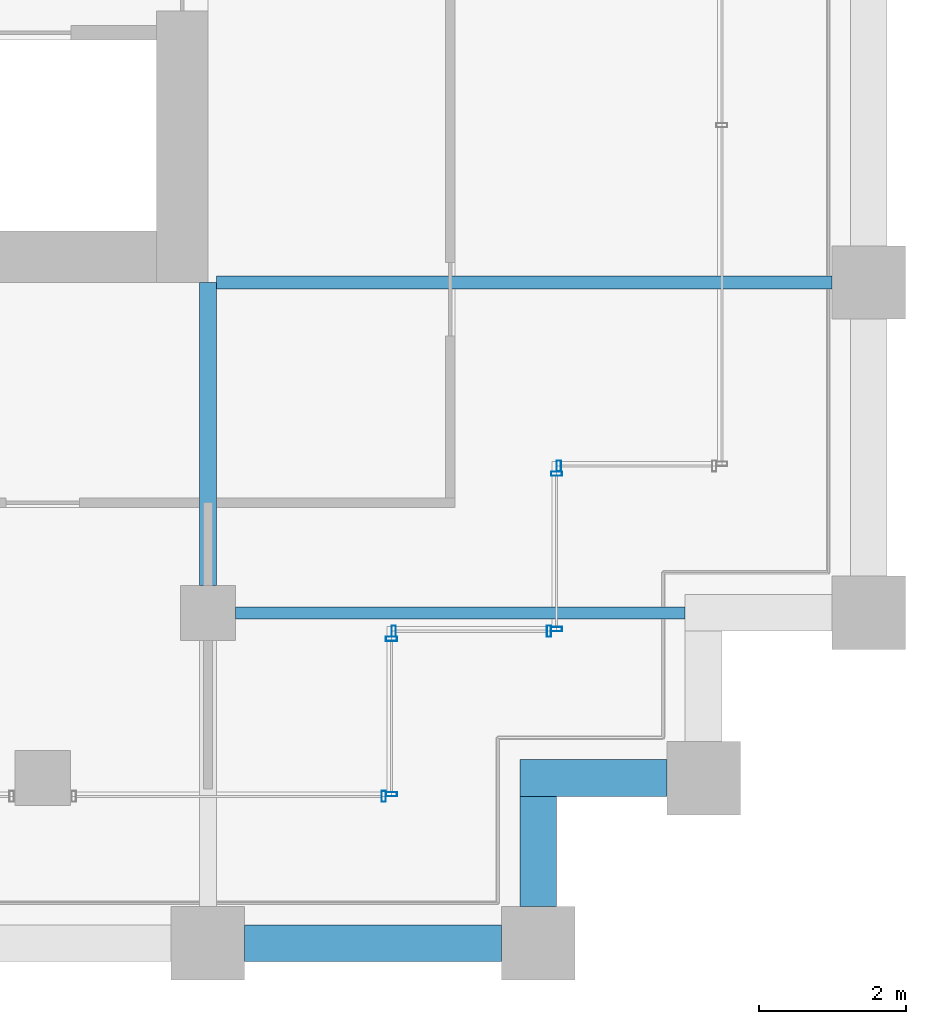
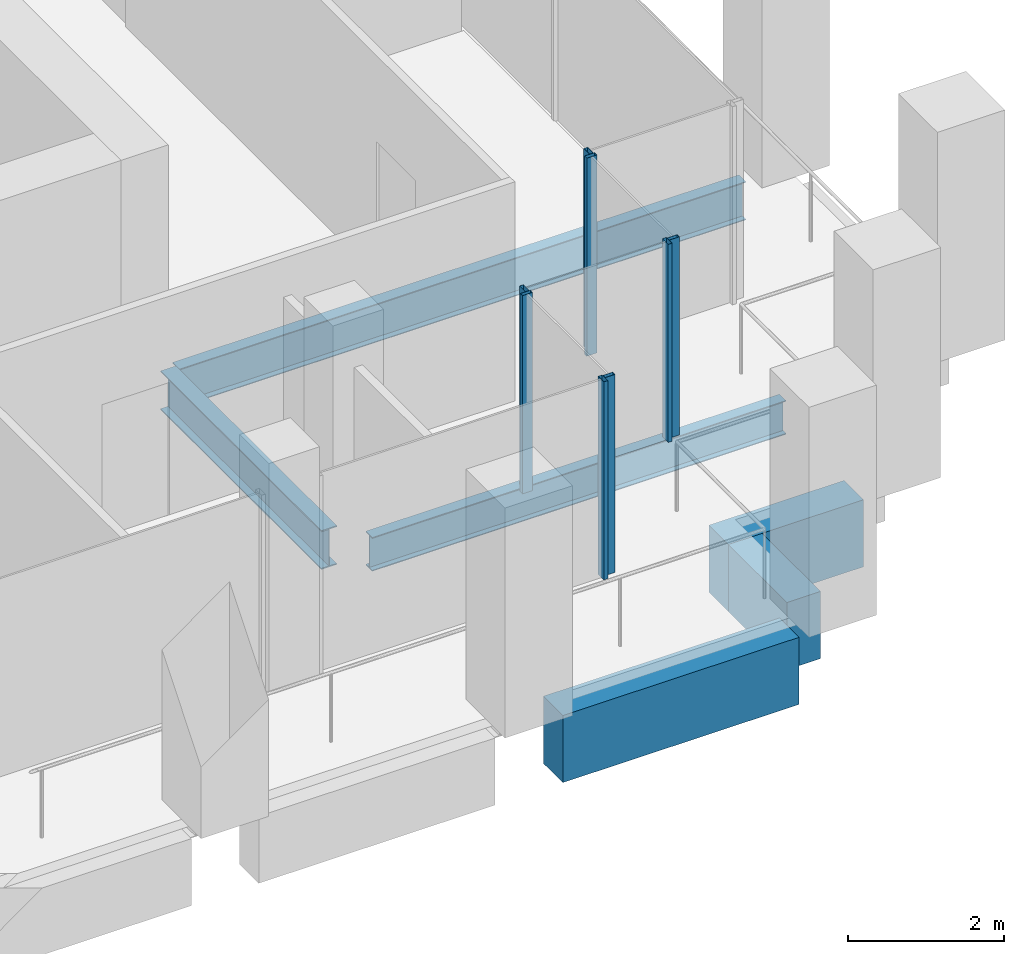
# One storey, part 32 of 46: 8 members, 6 beams, 5 elements without a shape of their own.
"""IFC4 building model written with IfcOpenShell, lengths in metres."""

from ifc_helpers import new_model, si_unit, direction, frame, origin, origin_2d, place, context, subcontext, project, spatial, rectangle, hollow_rectangle, i_section, extrude, material, material_profile, profile_set, type_object, element, aggregate, save


model = new_model("IFC4")

# Units and contexts
model_context = context("Model", 3, precision=1e-05, world=origin(), true_north=direction((0.0, 1.0)))
body_context = subcontext(model_context, "Body", "Model", "MODEL_VIEW")
ifc_project = project(units=[si_unit("LENGTHUNIT", "METRE"), si_unit("AREAUNIT", "SQUARE_METRE"), si_unit("VOLUMEUNIT", "CUBIC_METRE"), si_unit("PLANEANGLEUNIT", "RADIAN"), si_unit("MASSUNIT", "GRAM", prefix="KILO")], contexts=[model_context])

# Site, building, storey
site_placement = place(None, origin())
site = spatial("IfcSite", under=ifc_project, at=site_placement, CompositionType="ELEMENT")
building_placement = place(site_placement, origin())
building = spatial("IfcBuilding", under=site, at=building_placement, Name="Altepetl Exchange Towers", CompositionType="ELEMENT")
storey_placement = place(building_placement, frame((0.0, 0.0, 120.800048828125)))
storey = spatial("IfcBuildingStorey", under=building, at=storey_placement, Name="L29", CompositionType="ELEMENT", Elevation=120.800048828125)

# Beams
ifc_material_1 = material(Name="Steel S355", Category="steel")
ifc_material_profile_1 = material_profile(ifc_material_1, i_section(OverallWidth=0.166015625, OverallDepth=0.529052734375, WebThickness=0.009765625, FlangeThickness=0.013671875, at=origin_2d()), Name="W21X50")
ifc_profile_set_1 = profile_set([ifc_material_profile_1], Name="Steel S355")
beam_type_1 = type_object("IfcBeamType", Name="Floor beam W21X50", PredefinedType="BEAM", material=ifc_profile_set_1)
beam_1_placement = place(storey_placement, frame((117.375, 31.5, -0.41455078125), z_axis=(1.0, 0.0, 0.0), x_axis=(0.0, 1.0, 0.0)))
element("IfcBeam", 1, at=beam_1_placement, inside=storey, type_object=beam_type_1, Name="bm:B:L29:000", PredefinedType="BEAM", context=body_context, shape_type="SweptSolid", body=[
    extrude(i_section(OverallWidth=0.166015625, OverallDepth=0.529052734375, WebThickness=0.009765625, FlangeThickness=0.013671875, at=origin_2d()), origin(), (0.0, 0.0, 1.0), 6.125),
])
ifc_material_profile_2 = material_profile(ifc_material_1, i_section(OverallWidth=0.177978515625, OverallDepth=0.59912109375, WebThickness=0.010009765625, FlangeThickness=0.0126953125, at=origin_2d()), Name="W24X55")
ifc_profile_set_2 = profile_set([ifc_material_profile_2], Name="Steel S355")
beam_type_2 = type_object("IfcBeamType", Name="Floor beam W24X55", PredefinedType="BEAM", material=ifc_profile_set_2)
beam_2_placement = place(storey_placement, frame((117.114013671875, 36.0, -0.449462890625), z_axis=(1.0, 0.0, 0.0), x_axis=(0.0, 1.0, 0.0)))
element("IfcBeam", 2, at=beam_2_placement, inside=storey, type_object=beam_type_2, Name="bm:B:L29:001", PredefinedType="BEAM", context=body_context, shape_type="SweptSolid", body=[
    extrude(i_section(OverallWidth=0.177978515625, OverallDepth=0.59912109375, WebThickness=0.010009765625, FlangeThickness=0.0126953125, at=origin_2d()), origin(), (0.0, 0.0, 1.0), 8.385986328125),
])
ifc_material_profile_3 = material_profile(ifc_material_1, i_section(OverallWidth=0.22802734375, OverallDepth=0.60791015625, WebThickness=0.01123046875, FlangeThickness=0.017333984375, at=origin_2d()), Name="W24X76")
ifc_profile_set_3 = profile_set([ifc_material_profile_3], Name="Steel S355")
beam_type_3 = type_object("IfcBeamType", Name="Girder W24X76", PredefinedType="BEAM", material=ifc_profile_set_3)
beam_3_placement = place(storey_placement, frame((117.0, 36.0, -0.4541015625), z_axis=(0.0, -1.0, 0.0), x_axis=(1.0, 0.0, 0.0)))
element("IfcBeam", 3, at=beam_3_placement, inside=storey, type_object=beam_type_3, Name="gd:B:L29:000", PredefinedType="BEAM", context=body_context, shape_type="SweptSolid", body=[
    extrude(i_section(OverallWidth=0.22802734375, OverallDepth=0.60791015625, WebThickness=0.01123046875, FlangeThickness=0.017333984375, at=origin_2d()), origin(), (0.0, 0.0, 1.0), 4.125),
])

# Curtain wall, member
ifc_material_2 = material(Name="Aluminium 6063-T6 glazing", Category="aluminium")
curtain_wall_type = type_object("IfcCurtainWallType", Name="Loggia glazing system", PredefinedType="NOTDEFINED", material=ifc_material_2)
curtain_wall_1_placement = place(storey_placement, origin())
curtain_wall_1 = element("IfcCurtainWall", 4, at=curtain_wall_1_placement, inside=storey, type_object=curtain_wall_type, Name="CW1 run", PredefinedType="NOTDEFINED")
ifc_material_3 = material(Name="Aluminium 6063-T6", Category="aluminium")
ifc_material_profile_4 = material_profile(ifc_material_3, hollow_rectangle(XDim=0.06005859375, YDim=0.14990234375, WallThickness=0.0029296875, at=origin_2d()), Name="Mullion 60x150 aluminium")
ifc_profile_set_4 = profile_set([ifc_material_profile_4], Name="Aluminium 6063-T6")
member_type = type_object("IfcMemberType", Name="Mullion 60x150 aluminium", PredefinedType="MULLION", material=ifc_profile_set_4)
member_1_placement = place(storey_placement, frame((119.39501953125, 29.0, 0.0)))
member_1 = element("IfcMember", 5, at=member_1_placement, type_object=member_type, Name="MU1 mullion", PredefinedType="MULLION", context=body_context, shape_type="SweptSolid", body=[
    extrude(hollow_rectangle(XDim=0.06005859375, YDim=0.14990234375, WallThickness=0.0029296875, at=origin_2d()), origin(), (0.0, 0.0, 1.0), 3.099853515625),
])
aggregate(curtain_wall_1, [member_1])

# Curtain wall, members
curtain_wall_2_placement = place(storey_placement, origin())
curtain_wall_2 = element("IfcCurtainWall", 6, at=curtain_wall_2_placement, inside=storey, type_object=curtain_wall_type, Name="CW1 run", PredefinedType="NOTDEFINED")
member_2_placement = place(storey_placement, frame((119.5, 29.030029296875, 0.0), z_axis=(0.0, 0.0, 1.0), x_axis=(0.0, 1.0, 0.0)))
member_2 = element("IfcMember", 7, at=member_2_placement, type_object=member_type, Name="MU1 mullion", PredefinedType="MULLION", context=body_context, shape_type="SweptSolid", body=[
    extrude(hollow_rectangle(XDim=0.06005859375, YDim=0.14990234375, WallThickness=0.0029296875, at=origin_2d()), origin(), (0.0, 0.0, 1.0), 3.099853515625),
])
member_3_placement = place(storey_placement, frame((119.5, 31.14501953125, 0.0), z_axis=(0.0, 0.0, 1.0), x_axis=(0.0, 1.0, 0.0)))
member_3 = element("IfcMember", 8, at=member_3_placement, type_object=member_type, Name="MU1 mullion", PredefinedType="MULLION", context=body_context, shape_type="SweptSolid", body=[
    extrude(hollow_rectangle(XDim=0.06005859375, YDim=0.14990234375, WallThickness=0.0029296875, at=origin_2d()), origin(), (0.0, 0.0, 1.0), 3.099853515625),
])
aggregate(curtain_wall_2, [member_2, member_3])

curtain_wall_3_placement = place(storey_placement, origin())
curtain_wall_3 = element("IfcCurtainWall", 9, at=curtain_wall_3_placement, inside=storey, type_object=curtain_wall_type, Name="CW1 run", PredefinedType="NOTDEFINED")
member_4_placement = place(storey_placement, frame((119.530029296875, 31.25, 0.0)))
member_4 = element("IfcMember", 10, at=member_4_placement, type_object=member_type, Name="MU1 mullion", PredefinedType="MULLION", context=body_context, shape_type="SweptSolid", body=[
    extrude(hollow_rectangle(XDim=0.06005859375, YDim=0.14990234375, WallThickness=0.0029296875, at=origin_2d()), origin(), (0.0, 0.0, 1.0), 3.099853515625),
])
member_5_placement = place(storey_placement, frame((121.64501953125, 31.25, 0.0)))
member_5 = element("IfcMember", 11, at=member_5_placement, type_object=member_type, Name="MU1 mullion", PredefinedType="MULLION", context=body_context, shape_type="SweptSolid", body=[
    extrude(hollow_rectangle(XDim=0.06005859375, YDim=0.14990234375, WallThickness=0.0029296875, at=origin_2d()), origin(), (0.0, 0.0, 1.0), 3.099853515625),
])
aggregate(curtain_wall_3, [member_4, member_5])

curtain_wall_4_placement = place(storey_placement, origin())
curtain_wall_4 = element("IfcCurtainWall", 12, at=curtain_wall_4_placement, inside=storey, type_object=curtain_wall_type, Name="CW1 run", PredefinedType="NOTDEFINED")
member_6_placement = place(storey_placement, frame((121.75, 31.280029296875, 0.0), z_axis=(0.0, 0.0, 1.0), x_axis=(0.0, 1.0, 0.0)))
member_6 = element("IfcMember", 13, at=member_6_placement, type_object=member_type, Name="MU1 mullion", PredefinedType="MULLION", context=body_context, shape_type="SweptSolid", body=[
    extrude(hollow_rectangle(XDim=0.06005859375, YDim=0.14990234375, WallThickness=0.0029296875, at=origin_2d()), origin(), (0.0, 0.0, 1.0), 3.099853515625),
])
member_7_placement = place(storey_placement, frame((121.75, 33.39501953125, 0.0), z_axis=(0.0, 0.0, 1.0), x_axis=(0.0, 1.0, 0.0)))
member_7 = element("IfcMember", 14, at=member_7_placement, type_object=member_type, Name="MU1 mullion", PredefinedType="MULLION", context=body_context, shape_type="SweptSolid", body=[
    extrude(hollow_rectangle(XDim=0.06005859375, YDim=0.14990234375, WallThickness=0.0029296875, at=origin_2d()), origin(), (0.0, 0.0, 1.0), 3.099853515625),
])
aggregate(curtain_wall_4, [member_6, member_7])

# Curtain wall, member
curtain_wall_5_placement = place(storey_placement, origin())
curtain_wall_5 = element("IfcCurtainWall", 15, at=curtain_wall_5_placement, inside=storey, type_object=curtain_wall_type, Name="CW1 run", PredefinedType="NOTDEFINED")
member_8_placement = place(storey_placement, frame((121.780029296875, 33.5, 0.0)))
member_8 = element("IfcMember", 16, at=member_8_placement, type_object=member_type, Name="MU1 mullion", PredefinedType="MULLION", context=body_context, shape_type="SweptSolid", body=[
    extrude(hollow_rectangle(XDim=0.06005859375, YDim=0.14990234375, WallThickness=0.0029296875, at=origin_2d()), origin(), (0.0, 0.0, 1.0), 3.099853515625),
])
aggregate(curtain_wall_5, [member_8])

# Beams
ifc_material_4 = material(Name="Concrete C50/60 precast with cantera blanca facing", Category="concrete")
ifc_material_profile_5 = material_profile(ifc_material_4, rectangle(XDim=0.5, YDim=1.050048828125, at=origin_2d()), Name="500 x 1050")
ifc_profile_set_5 = profile_set([ifc_material_profile_5], Name="Concrete C50/60 precast with cantera blanca facing")
beam_type_4 = type_object("IfcBeamType", Name="Spandrel beam 500x1050 cantera blanca", PredefinedType="SPANDREL", material=ifc_profile_set_5)
beam_4_placement = place(storey_placement, frame((117.5, 27.0, -0.675048828125), z_axis=(1.0, 0.0, 0.0), x_axis=(0.0, 1.0, 0.0)))
element("IfcBeam", 17, at=beam_4_placement, inside=storey, type_object=beam_type_4, Name="sp:B:L29:004", PredefinedType="SPANDREL", context=body_context, shape_type="SweptSolid", body=[
    extrude(rectangle(XDim=0.5, YDim=1.050048828125, at=origin_2d()), origin(), (0.0, 0.0, 1.0), 3.5),
])
beam_5_placement = place(storey_placement, frame((121.5, 27.5, -0.675048828125), z_axis=(0.0, 1.0, 0.0), x_axis=(-1.0, 0.0, 0.0)))
element("IfcBeam", 18, at=beam_5_placement, inside=storey, type_object=beam_type_4, Name="sp:B:L29:005", PredefinedType="SPANDREL", context=body_context, shape_type="SweptSolid", body=[
    extrude(rectangle(XDim=0.5, YDim=1.050048828125, at=origin_2d()), origin(), (0.0, 0.0, 1.0), 1.5),
])
beam_6_placement = place(storey_placement, frame((121.25, 29.25, -0.675048828125), z_axis=(1.0, 0.0, 0.0), x_axis=(0.0, 1.0, 0.0)))
element("IfcBeam", 19, at=beam_6_placement, inside=storey, type_object=beam_type_4, Name="sp:B:L29:006", PredefinedType="SPANDREL", context=body_context, shape_type="SweptSolid", body=[
    extrude(rectangle(XDim=0.5, YDim=1.050048828125, at=origin_2d()), origin(), (0.0, 0.0, 1.0), 2.0),
])

save(model, "model.ifc")
